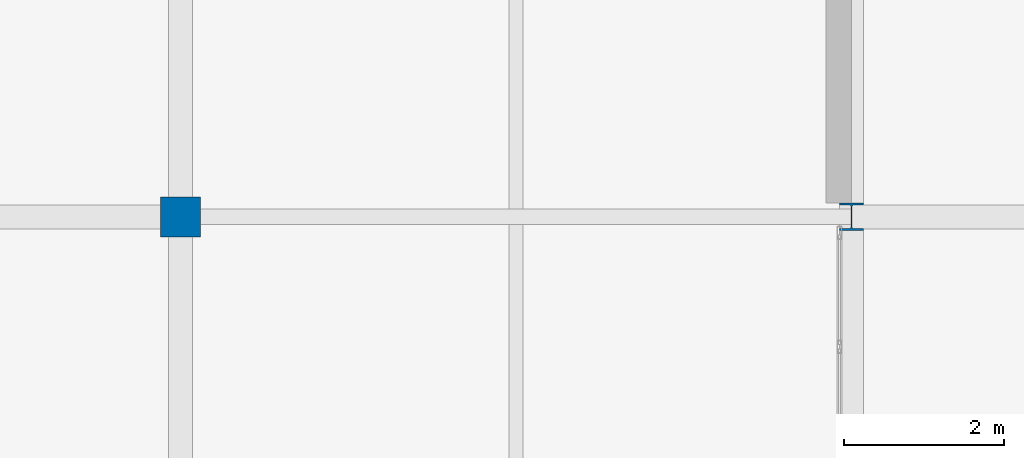
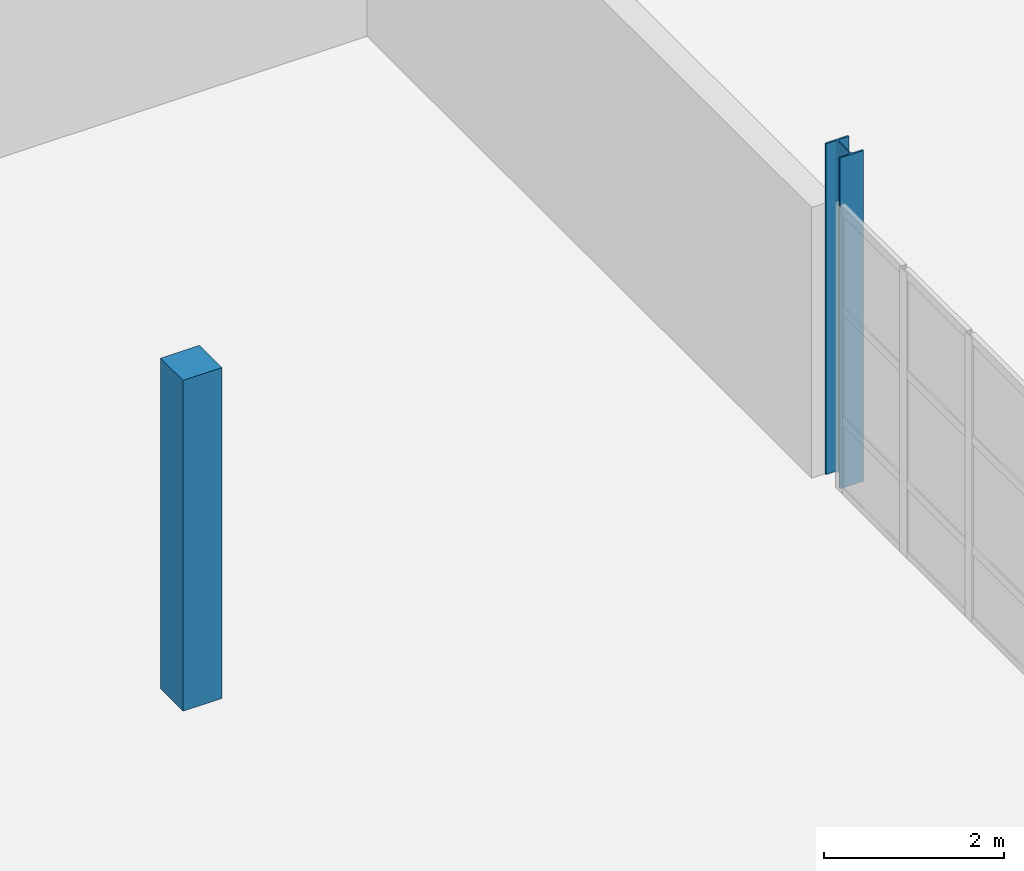
# One storey, part 10 of 103: 2 columns.
"""IFC4 building model written with IfcOpenShell, lengths in metres."""

from ifc_helpers import new_model, si_unit, direction, frame, origin, origin_2d, place, context, subcontext, project, spatial, rectangle, i_section, extrude, material, material_profile, profile_set, type_object, element, save


model = new_model("IFC4")

# Units and contexts
model_context = context("Model", 3, precision=1e-05, world=origin(), true_north=direction((0.0, 1.0)))
body_context = subcontext(model_context, "Body", "Model", "MODEL_VIEW")
ifc_project = project(units=[si_unit("LENGTHUNIT", "METRE"), si_unit("AREAUNIT", "SQUARE_METRE"), si_unit("VOLUMEUNIT", "CUBIC_METRE"), si_unit("PLANEANGLEUNIT", "RADIAN"), si_unit("MASSUNIT", "GRAM", prefix="KILO")], contexts=[model_context])

# Site, building, storey
site_placement = place(None, origin())
site = spatial("IfcSite", under=ifc_project, at=site_placement, CompositionType="ELEMENT")
building_placement = place(site_placement, origin())
building = spatial("IfcBuilding", under=site, at=building_placement, Name="Veltarok Museum of Natural Sciences", CompositionType="ELEMENT")
storey_placement = place(building_placement, frame((0.0, 0.0, 21.89990234375)))
storey = spatial("IfcBuildingStorey", under=building, at=storey_placement, Name="L04", CompositionType="ELEMENT", Elevation=21.89990234375)

# Columns
ifc_material_1 = material(Name="Steel S355J2", Category="steel")
ifc_material_profile_1 = material_profile(ifc_material_1, i_section(OverallWidth=0.300048828125, OverallDepth=0.340087890625, WebThickness=0.011962890625, FlangeThickness=0.021484375, FilletRadius=0.027099609375, at=origin_2d()), Name="HEB 340")
ifc_profile_set_1 = profile_set([ifc_material_profile_1], Name="Steel S355J2")
column_type_1 = type_object("IfcColumnType", Name="Perimeter Spine Column HEB 340", PredefinedType="COLUMN", material=ifc_profile_set_1)
column_1_placement = place(storey_placement, frame((149.199951171875, 48.0, 0.0), z_axis=(0.0, 0.0, 1.0), x_axis=(1.0, 0.0, 0.0)))
element("IfcColumn", 1, at=column_1_placement, inside=storey, type_object=column_type_1, Name="Column COL-EXT05 L04 18/F", PredefinedType="COLUMN", context=body_context, shape_type="SweptSolid", body=[
    extrude(i_section(OverallWidth=0.300048828125, OverallDepth=0.340087890625, WebThickness=0.011962890625, FlangeThickness=0.021484375, FilletRadius=0.027099609375, at=origin_2d()), origin(), (0.0, 0.0, 1.0), 4.5),
])
ifc_material_2 = material(Name="Concrete C40/50", Category="concrete")
ifc_material_profile_2 = material_profile(ifc_material_2, rectangle(XDim=0.5, YDim=0.5, at=origin_2d()), Name="RC 500x500")
ifc_profile_set_2 = profile_set([ifc_material_profile_2], Name="Concrete C40/50")
column_type_2 = type_object("IfcColumnType", Name="Upper Lab Column RC 500x500", PredefinedType="COLUMN", material=ifc_profile_set_2)
column_2_placement = place(storey_placement, frame((140.800048828125, 48.0, 0.0), z_axis=(0.0, 0.0, 1.0), x_axis=(1.0, 0.0, 0.0)))
element("IfcColumn", 2, at=column_2_placement, inside=storey, type_object=column_type_2, Name="Column COL-RC03 L04 17/F", PredefinedType="COLUMN", context=body_context, shape_type="SweptSolid", body=[
    extrude(rectangle(XDim=0.5, YDim=0.5, at=origin_2d()), origin(), (0.0, 0.0, 1.0), 4.5),
])

save(model, "model.ifc")
